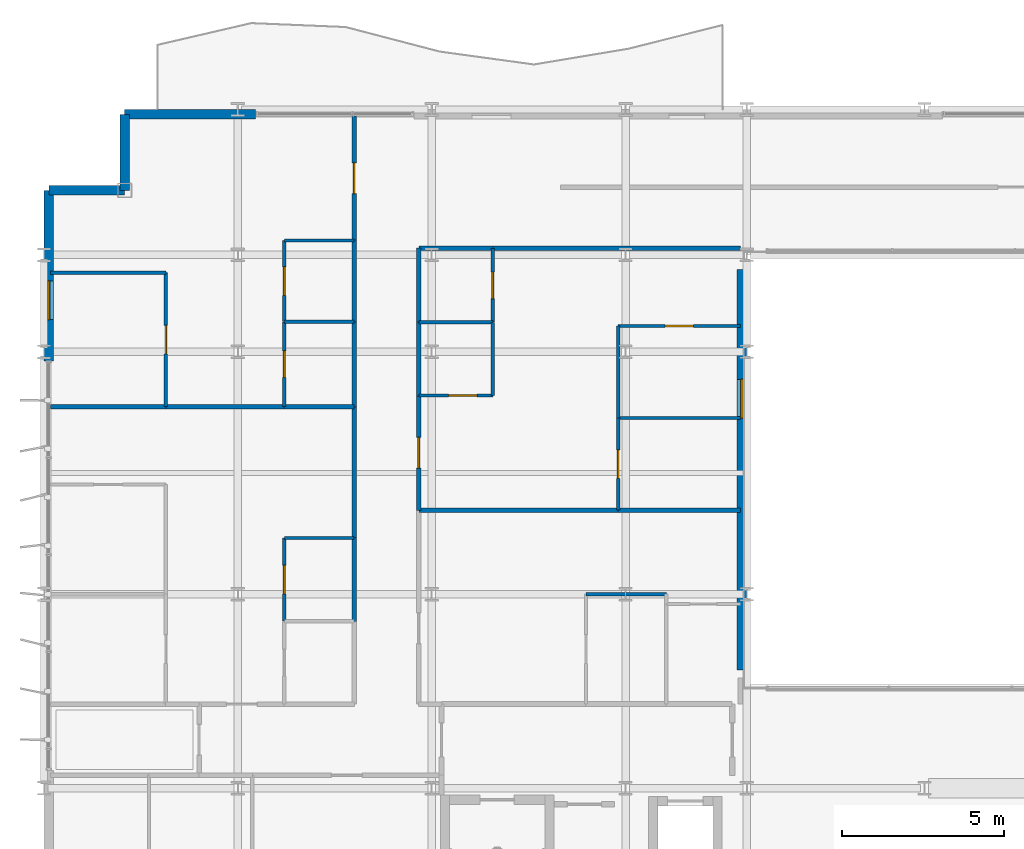
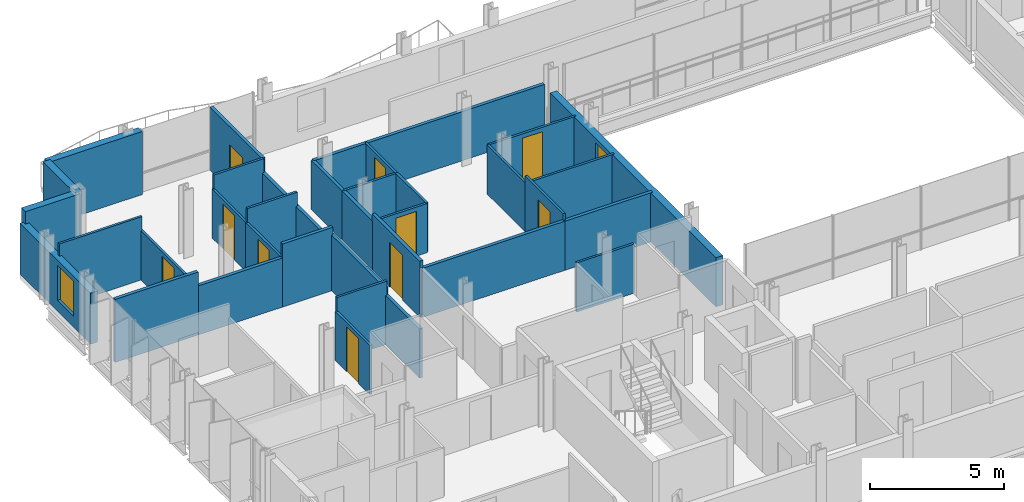
# One storey, part 29 of 38: 37 walls, 10 doors, 2 windows, 12 openings.
"""IFC4 building model written with IfcOpenShell, lengths in metres."""

import ifcopenshell
import ifcopenshell.guid

model = None  # the IFC model being written
_history = None  # IfcOwnerHistory: only IFC2X3 demands one
_inside = {}  # id of a spatial element -> (the spatial element, [elements in it])
_under = {}  # id of a project, library or spatial element -> (it, [spatial elements below it])
_declared = {}  # id of a project -> (the project, [libraries it declares])
_typed = {}  # id of a type object -> (the type object, [elements of that type])
_made_of = {}  # id of a material, layer set ... -> (it, [elements and type objects made of it])


def new_model(schema):
    """Start an empty IFC model of exactly this schema.

    Asked for "IFC4X3", IfcOpenShell would pick the latest addendum, in which some entities
    have other attributes; the version numbers below select the first issue.
    IFC2X3 requires an IfcOwnerHistory on every rooted entity: one is made here for all.
    """
    global model, _history
    if schema == "IFC4X3":
        model = ifcopenshell.file(schema_version=(4, 3, 0, 0))
    else:
        model = ifcopenshell.file(schema=schema)
    _inside.clear()
    _under.clear()
    _declared.clear()
    _typed.clear()
    _made_of.clear()
    _history = None
    if model.schema == "IFC2X3":
        org = make("IfcOrganization", Name="unknown")
        user = make(
            "IfcPersonAndOrganization",
            ThePerson=make("IfcPerson", FamilyName="unknown"),
            TheOrganization=org,
        )
        app = make(
            "IfcApplication",
            ApplicationDeveloper=org,
            Version="unknown",
            ApplicationFullName="unknown",
            ApplicationIdentifier="unknown",
        )
        _history = make(
            "IfcOwnerHistory",
            OwningUser=user,
            OwningApplication=app,
            ChangeAction="ADDED",
            CreationDate=0,
        )
    return model


def make(cls, **values):
    """One entity of the class cls with the attributes given. An attribute that is None is left unset."""
    return model.create_entity(
        cls, **{name: value for name, value in values.items() if value is not None}
    )


def rooted(cls, **values):
    """An entity with a GlobalId (a new one), such as an element, a storey or a relation."""
    return make(cls, GlobalId=ifcopenshell.guid.new(), OwnerHistory=_history, **values)


def si_unit(unit_type, name, prefix=None):
    """IfcSIUnit, for example si_unit("LENGTHUNIT", "METRE", prefix="MILLI")."""
    return make("IfcSIUnit", UnitType=unit_type, Prefix=prefix, Name=name)


def assignment(units):
    """IfcUnitAssignment: the units of a project."""
    return None if units is None else make("IfcUnitAssignment", Units=units)


def point(xyz):
    """IfcCartesianPoint."""
    return None if xyz is None else make("IfcCartesianPoint", Coordinates=xyz)


def direction(xyz):
    """IfcDirection."""
    return None if xyz is None else make("IfcDirection", DirectionRatios=xyz)


def frame(location, z_axis=None, x_axis=None):
    """IfcAxis2Placement3D, a coordinate frame: its origin and axes. An axis left out is left unset."""
    return make(
        "IfcAxis2Placement3D",
        Location=point(location),
        Axis=direction(z_axis),
        RefDirection=direction(x_axis),
    )


def frame_2d(location, x_axis=None):
    """IfcAxis2Placement2D, a coordinate frame in the plane: its origin and x axis."""
    return make(
        "IfcAxis2Placement2D", Location=point(location), RefDirection=direction(x_axis)
    )


def origin():
    """The frame at (0, 0, 0) with its axes left unset."""
    return frame((0.0, 0.0, 0.0))


def place(relative_to, where):
    """IfcLocalPlacement: puts the frame where relative to a parent placement (None: the world)."""
    return make(
        "IfcLocalPlacement", PlacementRelTo=relative_to, RelativePlacement=where
    )


def context(
    kind, dimensions, precision=None, world=None, true_north=None, identifier=None
):
    """IfcGeometricRepresentationContext, for example the 3D "Model" context."""
    return make(
        "IfcGeometricRepresentationContext",
        ContextIdentifier=identifier,
        ContextType=kind,
        CoordinateSpaceDimension=dimensions,
        Precision=precision,
        WorldCoordinateSystem=world,
        TrueNorth=true_north,
    )


def subcontext(parent, identifier, kind, view, scale=None):
    """IfcGeometricRepresentationSubContext, for example "Body" below "Model"."""
    return make(
        "IfcGeometricRepresentationSubContext",
        ContextIdentifier=identifier,
        ContextType=kind,
        ParentContext=parent,
        TargetScale=scale,
        TargetView=view,
    )


def project(units=None, contexts=None):
    """IfcProject with its units and contexts."""
    return rooted(
        "IfcProject",
        Name="project",
        RepresentationContexts=contexts,
        UnitsInContext=assignment(units),
    )


def spatial(cls, under=None, at=None, **own):
    """A site, building, storey or space (cls), placed at a placement, below another one or the project."""
    s = rooted(cls, ObjectPlacement=at, **own)
    if under is not None:
        _under.setdefault(under.id(), (under, []))[1].append(s)
    return s


def profile(cls, at=None, kind="AREA", **sizes):
    """A parametric profile (cls). Its sizes go by their IFC names, for example OverallWidth=200.0."""
    return make(cls, ProfileType=kind, Position=at, **sizes)


def rectangle(**sizes):
    """IfcRectangleProfileDef."""
    return profile("IfcRectangleProfileDef", **sizes)


def extrude(swept, where, along, depth):
    """IfcExtrudedAreaSolid: the profile swept, set in the frame where, extruded along a direction by depth."""
    return make(
        "IfcExtrudedAreaSolid",
        SweptArea=swept,
        Position=where,
        ExtrudedDirection=direction(along),
        Depth=depth,
    )


def shape(context_of_items, identifier, shape_type, items):
    """IfcShapeRepresentation: the items that make up one representation, for example the "Body"."""
    return make(
        "IfcShapeRepresentation",
        ContextOfItems=context_of_items,
        RepresentationIdentifier=identifier,
        RepresentationType=shape_type,
        Items=items,
    )


def material(Name=None, Category=None):
    """IfcMaterial."""
    return make("IfcMaterial", Name=Name, Category=Category)


def layer(
    of_material, thickness, ventilated=None, Name=None, Category=None, Priority=None
):
    """IfcMaterialLayer: one layer of a wall or slab, of a material (None: an air gap)."""
    return make(
        "IfcMaterialLayer",
        Material=of_material,
        LayerThickness=thickness,
        IsVentilated=ventilated,
        Name=Name,
        Category=Category,
        Priority=Priority,
    )


def layer_set(layers, Name=None):
    """IfcMaterialLayerSet."""
    return make("IfcMaterialLayerSet", MaterialLayers=layers, LayerSetName=Name)


def made_of(thing, what):
    """Note that an element or type object is made of a material, layer set ...; save() writes the relation."""
    if what is not None:
        _made_of.setdefault(what.id(), (what, []))[1].append(thing)
    return thing


def type_object(cls, material=None, **own):
    """A type object (cls), such as IfcWallType, which elements share."""
    return made_of(rooted(cls, **own), material)


def element(
    cls,
    number,
    at=None,
    inside=None,
    cuts=None,
    type_object=None,
    material=None,
    context=None,
    identifier="Body",
    shape_type=None,
    held_by="IfcProductDefinitionShape",
    body=None,
    shapes=None,
    **own,
):
    """One element of the class cls, such as IfcWall. Its Tag is "e" and its number.

    at: its placement. inside: the storey or other place that contains it. cuts: it is an
    opening in that element (IfcRelVoidsElement). A single representation is given by context,
    identifier, shape_type and body (its items); several are given by shapes. held_by: the class
    of the entity that holds the representations. save() writes the other relations.
    """
    e = rooted(cls, Tag="e%d" % number, ObjectPlacement=at, **own)
    if body is not None:
        shapes = [shape(context, identifier, shape_type, body)]
    if shapes is not None:
        e.Representation = make(held_by, Representations=shapes)
    if inside is not None:
        _inside.setdefault(inside.id(), (inside, []))[1].append(e)
    if cuts is not None:
        rooted(
            "IfcRelVoidsElement", RelatingBuildingElement=cuts, RelatedOpeningElement=e
        )
    if type_object is not None:
        _typed.setdefault(type_object.id(), (type_object, []))[1].append(e)
    return made_of(e, material)


def fill(opening, filler):
    """IfcRelFillsElement: the door or window that sits in an opening."""
    return rooted(
        "IfcRelFillsElement",
        RelatingOpeningElement=opening,
        RelatedBuildingElement=filler,
    )


def aggregate(whole, parts):
    """IfcRelAggregates: a whole, such as a stair, and the parts it consists of."""
    return rooted("IfcRelAggregates", RelatingObject=whole, RelatedObjects=parts)


def save(model, path):
    """Write the relations noted so far, then the file.

    IfcRelAggregates (storeys below a building ...), IfcRelContainedInSpatialStructure (elements
    in a storey), IfcRelDefinesByType, IfcRelAssociatesMaterial and IfcRelDeclares: one each for
    every whole, place, type object, material and project.
    """
    for whole, parts in _under.values():
        aggregate(whole, parts)
    for where, things in _inside.values():
        rooted(
            "IfcRelContainedInSpatialStructure",
            RelatedElements=things,
            RelatingStructure=where,
        )
    for kind, things in _typed.values():
        rooted("IfcRelDefinesByType", RelatedObjects=things, RelatingType=kind)
    for what, things in _made_of.values():
        rooted("IfcRelAssociatesMaterial", RelatedObjects=things, RelatingMaterial=what)
    for by, libraries in _declared.values():
        rooted("IfcRelDeclares", RelatingContext=by, RelatedDefinitions=libraries)
    model.write(path)


model = new_model("IFC4")

# Units and contexts
model_context = context("Model", 3, precision=1e-05, world=origin(), true_north=direction((0.0, 1.0)))
body_context = subcontext(model_context, "Body", "Model", "MODEL_VIEW")
ifc_project = project(units=[si_unit("LENGTHUNIT", "METRE"), si_unit("AREAUNIT", "SQUARE_METRE"), si_unit("VOLUMEUNIT", "CUBIC_METRE"), si_unit("PLANEANGLEUNIT", "RADIAN"), si_unit("MASSUNIT", "GRAM", prefix="KILO")], contexts=[model_context])

# Site, building, storey
site_placement = place(None, origin())
site = spatial("IfcSite", under=ifc_project, at=site_placement, CompositionType="ELEMENT")
building_placement = place(site_placement, origin())
building = spatial("IfcBuilding", under=site, at=building_placement, Name="Brevholm Reach", CompositionType="ELEMENT")
storey_placement = place(building_placement, frame((0.0, 0.0, 122.10009765625)))
storey = spatial("IfcBuildingStorey", under=building, at=storey_placement, Name="L36", CompositionType="ELEMENT", Elevation=122.10009765625)

# Walls
ifc_material_1 = material(Name="Concrete C40/50", Category="concrete")
ifc_layer_1 = layer(ifc_material_1, 0.300048828125)
ifc_layer_set_1 = layer_set([ifc_layer_1], Name="Concrete C40/50")
wall_type_1 = type_object("IfcWallType", Name="WAL-EXT-300", PredefinedType="STANDARD", material=ifc_layer_set_1)
for number, where, z_axis, x_axis, name in (
    (1, (2.5, 30.85009765625, 0.0), (0.0, 0.0, 1.0), (0.0, -1.0, 0.0), "L36 Facade Wall WAL-L36-CNW1"),
    (2, (2.5, 28.5, 0.0), (0.0, 0.0, 1.0), (-1.0, 0.0, 0.0), "L36 Facade Wall WAL-L36-CNW2"),
):
    element("IfcWall", number, at=place(storey_placement, frame(where, z_axis=z_axis, x_axis=x_axis)), inside=storey, type_object=wall_type_1, Name=name, PredefinedType="STANDARD", context=body_context, shape_type="SweptSolid", body=[
        extrude(rectangle(XDim=2.35009765625, YDim=0.300048828125, at=frame_2d((1.175048828125, 0.0))), origin(), (0.0, 0.0, 1.0), 2.8798828125),
    ])

# Wall, opening, window
wall_1_placement = place(storey_placement, frame((0.14990234375, 28.5, 0.0), z_axis=(0.0, 0.0, 1.0), x_axis=(0.0, -1.0, 0.0)))
wall_1 = element("IfcWall", 3, at=wall_1_placement, inside=storey, type_object=wall_type_1, Name="L36 Facade Wall WAL-L36-W-N", PredefinedType="STANDARD", context=body_context, shape_type="SweptSolid", body=[
    extrude(rectangle(XDim=5.280029296875, YDim=0.300048828125, at=frame_2d((2.64013671875, 0.0))), origin(), (0.0, 0.0, 1.0), 2.32177734375),
])
opening_1_placement = place(wall_1_placement, frame((2.800048828125, 0.0, 0.501953125)))
opening_1 = element("IfcOpeningElement", 4, at=opening_1_placement, cuts=wall_1, Name="Opening WN-08", PredefinedType="OPENING", context=body_context, shape_type="SweptSolid", body=[
    extrude(rectangle(XDim=1.199951171875, YDim=1.60009765625, at=frame_2d((0.60009765625, 0.800048828125))), frame((0.0, 0.159912109375, 0.0), z_axis=(0.0, -1.0, 0.0), x_axis=(1.0, 0.0, 0.0)), (0.0, 0.0, 1.0), 0.320068359375),
])
ifc_material_2 = material(Name="Dark Anodised Aluminium and Solar-Control IGU Glass", Category="aluminium")
window_type = type_object("IfcWindowType", Name="WIN-RES-1200", PartitioningType="SINGLE_PANEL", PredefinedType="WINDOW", material=ifc_material_2)
window_1_placement = place(opening_1_placement, origin())
window_1 = element("IfcWindow", 5, at=window_1_placement, inside=storey, type_object=window_type, Name="L36 Window WIN-L36-WN-1", OverallHeight=1.60009765625, OverallWidth=1.199951171875, PartitioningType="SINGLE_PANEL", PredefinedType="WINDOW", context=body_context, shape_type="SweptSolid", body=[
    extrude(rectangle(XDim=1.199951171875, YDim=1.60009765625, at=frame_2d((0.60009765625, 0.800048828125))), frame((0.0, 0.030029296875, 0.0), z_axis=(0.0, -1.0, 0.0), x_axis=(1.0, 0.0, 0.0)), (0.0, 0.0, 1.0), 0.06005859375),
])
fill(opening_1, window_1)

# Wall
wall_2_placement = place(storey_placement, frame((2.5, 30.85009765625, 0.0), z_axis=(0.0, 0.0, 1.0), x_axis=(1.0, 0.0, 0.0)))
element("IfcWall", 6, at=wall_2_placement, inside=storey, type_object=wall_type_1, Name="L36 Facade Wall WAL-L36-NP-W0", PredefinedType="STANDARD", context=body_context, shape_type="SweptSolid", body=[
    extrude(rectangle(XDim=4.050048828125, YDim=0.300048828125, at=frame_2d((2.02490234375, 0.0))), origin(), (0.0, 0.0, 1.0), 2.8798828125),
])

# Wall, opening, window
wall_3_placement = place(storey_placement, frame((21.60009765625, 26.050048828125, 0.0), z_axis=(0.0, 0.0, 1.0), x_axis=(0.0, -1.0, 0.0)))
wall_3 = element("IfcWall", 7, at=wall_3_placement, inside=storey, type_object=wall_type_1, Name="L36 Facade Wall WAL-L36-AT-W", PredefinedType="STANDARD", context=body_context, shape_type="SweptSolid", body=[
    extrude(rectangle(XDim=12.400146484375, YDim=0.300048828125, at=frame_2d((6.2001953125, 0.0))), origin(), (0.0, 0.0, 1.0), 2.24267578125),
])
opening_2_placement = place(wall_3_placement, frame((3.39990234375, 0.0, 0.423095703125)))
opening_2 = element("IfcOpeningElement", 8, at=opening_2_placement, cuts=wall_3, Name="Opening WN-08", PredefinedType="OPENING", context=body_context, shape_type="SweptSolid", body=[
    extrude(rectangle(XDim=1.199951171875, YDim=1.60009765625, at=frame_2d((0.60009765625, 0.800048828125))), frame((0.0, 0.159912109375, 0.0), z_axis=(0.0, -1.0, 0.0), x_axis=(1.0, 0.0, 0.0)), (0.0, 0.0, 1.0), 0.320068359375),
])
window_2_placement = place(opening_2_placement, origin())
window_2 = element("IfcWindow", 9, at=window_2_placement, inside=storey, type_object=window_type, Name="L36 Window WIN-L36-AT-W1", OverallHeight=1.60009765625, OverallWidth=1.199951171875, PartitioningType="SINGLE_PANEL", PredefinedType="WINDOW", context=body_context, shape_type="SweptSolid", body=[
    extrude(rectangle(XDim=1.199951171875, YDim=1.60009765625, at=frame_2d((0.60009765625, 0.800048828125))), frame((0.0, 0.030029296875, 0.0), z_axis=(0.0, -1.0, 0.0), x_axis=(1.0, 0.0, 0.0)), (0.0, 0.0, 1.0), 0.06005859375),
])
fill(opening_2, window_2)

# Wall
ifc_material_3 = material(Name="Moisture-Resistant Acoustic Gypsum Stud Partition 100 mm", Category="gypsum")
ifc_layer_2 = layer(ifc_material_3, 0.10009765625)
ifc_layer_set_2 = layer_set([ifc_layer_2], Name="Moisture-Resistant Acoustic Gypsum Stud Partition 100 mm")
wall_type_2 = type_object("IfcWallType", Name="WAL-PRT-100", PredefinedType="PARTITIONING", material=ifc_layer_set_2)
wall_4_placement = place(storey_placement, frame((7.43798828125, 17.739990234375, 0.0), z_axis=(0.0, 0.0, 1.0), x_axis=(1.0, 0.0, 0.0)))
element("IfcWall", 10, at=wall_4_placement, inside=storey, type_object=wall_type_2, Name="L36 Internal Partition 090", PredefinedType="PARTITIONING", context=body_context, shape_type="SweptSolid", body=[
    extrude(rectangle(XDim=2.157958984375, YDim=0.10009765625, at=frame_2d((1.0791015625, 0.0))), origin(), (0.0, 0.0, 1.0), 2.8798828125),
])

# Wall, opening, door
wall_5_placement = place(storey_placement, frame((7.43798828125, 15.16796875, 0.0), z_axis=(0.0, 0.0, 1.0), x_axis=(0.0, 1.0, 0.0)))
wall_5 = element("IfcWall", 11, at=wall_5_placement, inside=storey, type_object=wall_type_2, Name="L36 Internal Partition 091", PredefinedType="PARTITIONING", context=body_context, shape_type="SweptSolid", body=[
    extrude(rectangle(XDim=2.572021484375, YDim=0.10009765625, at=frame_2d((1.2861328125, 0.0))), origin(), (0.0, 0.0, 1.0), 2.24267578125),
])
opening_3_placement = place(wall_5_placement, frame((0.845947265625, 0.0, 0.0)))
opening_3 = element("IfcOpeningElement", 12, at=opening_3_placement, cuts=wall_5, Name="Opening ID-01", PredefinedType="OPENING", context=body_context, shape_type="SweptSolid", body=[
    extrude(rectangle(XDim=0.8798828125, YDim=2.0400390625, at=frame_2d((0.43994140625, 1.02001953125))), frame((0.0, 0.06005859375, 0.0), z_axis=(0.0, -1.0, 0.0), x_axis=(1.0, 0.0, 0.0)), (0.0, 0.0, 1.0), 0.1201171875),
])
ifc_material_4 = material(Name="Lacquered Ash Solid-Core Acoustic Internal Door", Category="timber")
door_type_1 = type_object("IfcDoorType", Name="DOR-INT-880", OperationType="NOTDEFINED", PredefinedType="DOOR", material=ifc_material_4)
door_1_placement = place(opening_3_placement, origin())
door_1 = element("IfcDoor", 13, at=door_1_placement, inside=storey, type_object=door_type_1, Name="L36 Internal Door 034", OperationType="SINGLE_SWING_RIGHT", OverallHeight=2.0400390625, OverallWidth=0.8798828125, PredefinedType="DOOR", context=body_context, shape_type="SweptSolid", body=[
    extrude(rectangle(XDim=0.8798828125, YDim=2.0400390625, at=frame_2d((0.43994140625, 1.02001953125))), frame((0.0, 0.02490234375, 0.0), z_axis=(0.0, -1.0, 0.0), x_axis=(1.0, 0.0, 0.0)), (0.0, 0.0, 1.0), 0.050048828125),
])
fill(opening_3, door_1)

# Wall
wall_6_placement = place(storey_placement, frame((7.43798828125, 24.429931640625, 0.0), z_axis=(0.0, 0.0, 1.0), x_axis=(1.0, 0.0, 0.0)))
element("IfcWall", 14, at=wall_6_placement, inside=storey, type_object=wall_type_2, Name="L36 Internal Partition 099", PredefinedType="PARTITIONING", context=body_context, shape_type="SweptSolid", body=[
    extrude(rectangle(XDim=2.157958984375, YDim=0.10009765625, at=frame_2d((1.0791015625, 0.0))), origin(), (0.0, 0.0, 1.0), 2.8798828125),
])

# Wall, opening, door
wall_7_placement = place(storey_placement, frame((7.43798828125, 21.803955078125, 0.0), z_axis=(0.0, 0.0, 1.0), x_axis=(0.0, 1.0, 0.0)))
wall_7 = element("IfcWall", 15, at=wall_7_placement, inside=storey, type_object=wall_type_2, Name="L36 Internal Partition 100", PredefinedType="PARTITIONING", context=body_context, shape_type="SweptSolid", body=[
    extrude(rectangle(XDim=2.6259765625, YDim=0.10009765625, at=frame_2d((1.31298828125, 0.0))), origin(), (0.0, 0.0, 1.0), 2.24267578125),
])
opening_4_placement = place(wall_7_placement, frame((0.903076171875, 0.0, 0.0)))
opening_4 = element("IfcOpeningElement", 16, at=opening_4_placement, cuts=wall_7, Name="Opening ID-03", PredefinedType="OPENING", context=body_context, shape_type="SweptSolid", body=[
    extrude(rectangle(XDim=0.820068359375, YDim=2.02001953125, at=frame_2d((0.41015625, 1.010009765625))), frame((0.0, 0.06005859375, 0.0), z_axis=(0.0, -1.0, 0.0), x_axis=(1.0, 0.0, 0.0)), (0.0, 0.0, 1.0), 0.1201171875),
])
ifc_material_5 = material(Name="Moisture-Resistant Painted Timber Internal Bathroom Door", Category="wood")
door_type_2 = type_object("IfcDoorType", Name="DOR-BATH-820", OperationType="NOTDEFINED", PredefinedType="DOOR", material=ifc_material_5)
door_2_placement = place(opening_4_placement, origin())
door_2 = element("IfcDoor", 17, at=door_2_placement, inside=storey, type_object=door_type_2, Name="L36 Internal Door 037", OperationType="SINGLE_SWING_LEFT", OverallHeight=2.02001953125, OverallWidth=0.820068359375, PredefinedType="DOOR", context=body_context, shape_type="SweptSolid", body=[
    extrude(rectangle(XDim=0.820068359375, YDim=2.02001953125, at=frame_2d((0.41015625, 1.010009765625))), frame((0.0, 0.02490234375, 0.0), z_axis=(0.0, -1.0, 0.0), x_axis=(1.0, 0.0, 0.0)), (0.0, 0.0, 1.0), 0.050048828125),
])
fill(opening_4, door_2)

# Wall
wall_8_placement = place(storey_placement, frame((7.43798828125, 26.949951171875, 0.0), z_axis=(0.0, 0.0, 1.0), x_axis=(1.0, 0.0, 0.0)))
element("IfcWall", 18, at=wall_8_placement, inside=storey, type_object=wall_type_2, Name="L36 Internal Partition 101", PredefinedType="PARTITIONING", context=body_context, shape_type="SweptSolid", body=[
    extrude(rectangle(XDim=2.157958984375, YDim=0.10009765625, at=frame_2d((1.0791015625, 0.0))), origin(), (0.0, 0.0, 1.0), 2.8798828125),
])

# Wall, opening, door
wall_9_placement = place(storey_placement, frame((7.43798828125, 24.43408203125, 0.0), z_axis=(0.0, 0.0, 1.0), x_axis=(0.0, 1.0, 0.0)))
wall_9 = element("IfcWall", 19, at=wall_9_placement, inside=storey, type_object=wall_type_2, Name="L36 Internal Partition 102", PredefinedType="PARTITIONING", context=body_context, shape_type="SweptSolid", body=[
    extrude(rectangle(XDim=2.515869140625, YDim=0.10009765625, at=frame_2d((1.2578125, 0.0))), origin(), (0.0, 0.0, 1.0), 2.24267578125),
])
opening_5_placement = place(wall_9_placement, frame((0.818115234375, 0.0, 0.0)))
opening_5 = element("IfcOpeningElement", 20, at=opening_5_placement, cuts=wall_9, Name="Opening ID-01", PredefinedType="OPENING", context=body_context, shape_type="SweptSolid", body=[
    extrude(rectangle(XDim=0.8798828125, YDim=2.0400390625, at=frame_2d((0.43994140625, 1.02001953125))), frame((0.0, 0.06005859375, 0.0), z_axis=(0.0, -1.0, 0.0), x_axis=(1.0, 0.0, 0.0)), (0.0, 0.0, 1.0), 0.1201171875),
])
door_3_placement = place(opening_5_placement, origin())
door_3 = element("IfcDoor", 21, at=door_3_placement, inside=storey, type_object=door_type_1, Name="L36 Internal Door 038", OperationType="SINGLE_SWING_RIGHT", OverallHeight=2.0400390625, OverallWidth=0.8798828125, PredefinedType="DOOR", context=body_context, shape_type="SweptSolid", body=[
    extrude(rectangle(XDim=0.8798828125, YDim=2.0400390625, at=frame_2d((0.43994140625, 1.02001953125))), frame((0.0, 0.02490234375, 0.0), z_axis=(0.0, -1.0, 0.0), x_axis=(1.0, 0.0, 0.0)), (0.0, 0.0, 1.0), 0.050048828125),
])
fill(opening_5, door_3)

wall_10_placement = place(storey_placement, frame((3.77197265625, 21.803955078125, 0.0), z_axis=(0.0, 0.0, 1.0), x_axis=(0.0, 1.0, 0.0)))
wall_10 = element("IfcWall", 22, at=wall_10_placement, inside=storey, type_object=wall_type_2, Name="L36 Internal Partition 103", PredefinedType="PARTITIONING", context=body_context, shape_type="SweptSolid", body=[
    extrude(rectangle(XDim=4.14599609375, YDim=0.10009765625, at=frame_2d((2.072998046875, 0.0))), origin(), (0.0, 0.0, 1.0), 2.24267578125),
])
opening_6_placement = place(wall_10_placement, frame((1.633056640625, 0.0, 0.0)))
opening_6 = element("IfcOpeningElement", 23, at=opening_6_placement, cuts=wall_10, Name="Opening ID-01", PredefinedType="OPENING", context=body_context, shape_type="SweptSolid", body=[
    extrude(rectangle(XDim=0.8798828125, YDim=2.0400390625, at=frame_2d((0.43994140625, 1.02001953125))), frame((0.0, 0.06005859375, 0.0), z_axis=(0.0, -1.0, 0.0), x_axis=(1.0, 0.0, 0.0)), (0.0, 0.0, 1.0), 0.1201171875),
])
door_4_placement = place(opening_6_placement, origin())
door_4 = element("IfcDoor", 24, at=door_4_placement, inside=storey, type_object=door_type_1, Name="L36 Internal Door 039", OperationType="SINGLE_SWING_LEFT", OverallHeight=2.0400390625, OverallWidth=0.8798828125, PredefinedType="DOOR", context=body_context, shape_type="SweptSolid", body=[
    extrude(rectangle(XDim=0.8798828125, YDim=2.0400390625, at=frame_2d((0.43994140625, 1.02001953125))), frame((0.0, 0.02490234375, 0.0), z_axis=(0.0, -1.0, 0.0), x_axis=(1.0, 0.0, 0.0)), (0.0, 0.0, 1.0), 0.050048828125),
])
fill(opening_6, door_4)

# Walls
wall_11_placement = place(storey_placement, frame((0.199951171875, 25.949951171875, 0.0), z_axis=(0.0, 0.0, 1.0), x_axis=(1.0, 0.0, 0.0)))
element("IfcWall", 25, at=wall_11_placement, inside=storey, type_object=wall_type_2, Name="L36 Internal Partition 104", PredefinedType="PARTITIONING", context=body_context, shape_type="SweptSolid", body=[
    extrude(rectangle(XDim=3.572021484375, YDim=0.10009765625, at=frame_2d((1.7861328125, 0.0))), origin(), (0.0, 0.0, 1.0), 2.8798828125),
])
wall_12_placement = place(storey_placement, frame((16.77294921875, 16.0, 0.0), z_axis=(0.0, 0.0, 1.0), x_axis=(1.0, 0.0, 0.0)))
element("IfcWall", 26, at=wall_12_placement, inside=storey, type_object=wall_type_2, Name="L36 Internal Partition 108", PredefinedType="PARTITIONING", context=body_context, shape_type="SweptSolid", body=[
    extrude(rectangle(XDim=2.488037109375, YDim=0.10009765625, at=frame_2d((1.244140625, 0.0))), origin(), (0.0, 0.0, 1.0), 2.24267578125),
])
wall_13_placement = place(storey_placement, frame((11.60400390625, 24.419921875, 0.0), z_axis=(0.0, 0.0, 1.0), x_axis=(1.0, 0.0, 0.0)))
element("IfcWall", 27, at=wall_13_placement, inside=storey, type_object=wall_type_2, Name="L36 Internal Partition 112", PredefinedType="PARTITIONING", context=body_context, shape_type="SweptSolid", body=[
    extrude(rectangle(XDim=2.284912109375, YDim=0.10009765625, at=frame_2d((1.142578125, 0.0))), origin(), (0.0, 0.0, 1.0), 2.24267578125),
])

# Wall, opening, door
wall_14_placement = place(storey_placement, frame((13.888916015625, 24.419921875, 0.0), z_axis=(0.0, 0.0, 1.0), x_axis=(0.0, 1.0, 0.0)))
wall_14 = element("IfcWall", 28, at=wall_14_placement, inside=storey, type_object=wall_type_2, Name="L36 Internal Partition 113", PredefinedType="PARTITIONING", context=body_context, shape_type="SweptSolid", body=[
    extrude(rectangle(XDim=2.276123046875, YDim=0.10009765625, at=frame_2d((1.13818359375, 0.0))), origin(), (0.0, 0.0, 1.0), 2.24267578125),
])
opening_7_placement = place(wall_14_placement, frame((0.72802734375, 0.0, 0.0)))
opening_7 = element("IfcOpeningElement", 29, at=opening_7_placement, cuts=wall_14, Name="Opening ID-03", PredefinedType="OPENING", context=body_context, shape_type="SweptSolid", body=[
    extrude(rectangle(XDim=0.820068359375, YDim=2.02001953125, at=frame_2d((0.41015625, 1.010009765625))), frame((0.0, 0.06005859375, 0.0), z_axis=(0.0, -1.0, 0.0), x_axis=(1.0, 0.0, 0.0)), (0.0, 0.0, 1.0), 0.1201171875),
])
door_5_placement = place(opening_7_placement, origin())
door_5 = element("IfcDoor", 30, at=door_5_placement, inside=storey, type_object=door_type_2, Name="L36 Internal Door 042", OperationType="SINGLE_SWING_RIGHT", OverallHeight=2.02001953125, OverallWidth=0.820068359375, PredefinedType="DOOR", context=body_context, shape_type="SweptSolid", body=[
    extrude(rectangle(XDim=0.820068359375, YDim=2.02001953125, at=frame_2d((0.41015625, 1.010009765625))), frame((0.0, 0.02490234375, 0.0), z_axis=(0.0, -1.0, 0.0), x_axis=(1.0, 0.0, 0.0)), (0.0, 0.0, 1.0), 0.050048828125),
])
fill(opening_7, door_5)

wall_15_placement = place(storey_placement, frame((11.60400390625, 22.152099609375, 0.0), z_axis=(0.0, 0.0, 1.0), x_axis=(1.0, 0.0, 0.0)))
wall_15 = element("IfcWall", 31, at=wall_15_placement, inside=storey, type_object=wall_type_2, Name="L36 Internal Partition 114", PredefinedType="PARTITIONING", context=body_context, shape_type="SweptSolid", body=[
    extrude(rectangle(XDim=2.284912109375, YDim=0.10009765625, at=frame_2d((1.142578125, 0.0))), origin(), (0.0, 0.0, 1.0), 2.24267578125),
])
opening_8_placement = place(wall_15_placement, frame((0.922607421875, 0.0, 0.0)))
opening_8 = element("IfcOpeningElement", 32, at=opening_8_placement, cuts=wall_15, Name="Opening ID-01", PredefinedType="OPENING", context=body_context, shape_type="SweptSolid", body=[
    extrude(rectangle(XDim=0.8798828125, YDim=2.0400390625, at=frame_2d((0.43994140625, 1.02001953125))), frame((0.0, 0.06005859375, 0.0), z_axis=(0.0, -1.0, 0.0), x_axis=(1.0, 0.0, 0.0)), (0.0, 0.0, 1.0), 0.1201171875),
])
door_6_placement = place(opening_8_placement, origin())
door_6 = element("IfcDoor", 33, at=door_6_placement, inside=storey, type_object=door_type_1, Name="L36 Internal Door 043", OperationType="SINGLE_SWING_LEFT", OverallHeight=2.0400390625, OverallWidth=0.8798828125, PredefinedType="DOOR", context=body_context, shape_type="SweptSolid", body=[
    extrude(rectangle(XDim=0.8798828125, YDim=2.0400390625, at=frame_2d((0.43994140625, 1.02001953125))), frame((0.0, 0.02490234375, 0.0), z_axis=(0.0, -1.0, 0.0), x_axis=(1.0, 0.0, 0.0)), (0.0, 0.0, 1.0), 0.050048828125),
])
fill(opening_8, door_6)

# Walls
wall_16_placement = place(storey_placement, frame((13.888916015625, 22.152099609375, 0.0), z_axis=(0.0, 0.0, 1.0), x_axis=(0.0, 1.0, 0.0)))
element("IfcWall", 34, at=wall_16_placement, inside=storey, type_object=wall_type_2, Name="L36 Internal Partition 115", PredefinedType="PARTITIONING", context=body_context, shape_type="SweptSolid", body=[
    extrude(rectangle(XDim=2.263916015625, YDim=0.10009765625, at=frame_2d((1.1318359375, 0.0))), origin(), (0.0, 0.0, 1.0), 2.24267578125),
])
wall_17_placement = place(storey_placement, frame((17.76904296875, 21.449951171875, 0.0), z_axis=(0.0, 0.0, 1.0), x_axis=(1.0, 0.0, 0.0)))
element("IfcWall", 35, at=wall_17_placement, inside=storey, type_object=wall_type_2, Name="L36 Internal Partition 116", PredefinedType="PARTITIONING", context=body_context, shape_type="SweptSolid", body=[
    extrude(rectangle(XDim=3.781005859375, YDim=0.10009765625, at=frame_2d((1.890625, 0.0))), origin(), (0.0, 0.0, 1.0), 2.24267578125),
])

# Wall, opening, door
wall_18_placement = place(storey_placement, frame((17.76904296875, 18.60400390625, 0.0), z_axis=(0.0, 0.0, 1.0), x_axis=(0.0, 1.0, 0.0)))
wall_18 = element("IfcWall", 36, at=wall_18_placement, inside=storey, type_object=wall_type_2, Name="L36 Internal Partition 117", PredefinedType="PARTITIONING", context=body_context, shape_type="SweptSolid", body=[
    extrude(rectangle(XDim=2.845947265625, YDim=0.10009765625, at=frame_2d((1.4228515625, 0.0))), origin(), (0.0, 0.0, 1.0), 2.551513671875),
])
opening_9_placement = place(wall_18_placement, frame((0.98291015625, 0.0, 0.0)))
opening_9 = element("IfcOpeningElement", 37, at=opening_9_placement, cuts=wall_18, Name="Opening ID-01", PredefinedType="OPENING", context=body_context, shape_type="SweptSolid", body=[
    extrude(rectangle(XDim=0.8798828125, YDim=2.0400390625, at=frame_2d((0.43994140625, 1.02001953125))), frame((0.0, 0.06005859375, 0.0), z_axis=(0.0, -1.0, 0.0), x_axis=(1.0, 0.0, 0.0)), (0.0, 0.0, 1.0), 0.1201171875),
])
door_7_placement = place(opening_9_placement, origin())
door_7 = element("IfcDoor", 38, at=door_7_placement, inside=storey, type_object=door_type_1, Name="L36 Internal Door 044", OperationType="SINGLE_SWING_RIGHT", OverallHeight=2.0400390625, OverallWidth=0.8798828125, PredefinedType="DOOR", context=body_context, shape_type="SweptSolid", body=[
    extrude(rectangle(XDim=0.8798828125, YDim=2.0400390625, at=frame_2d((0.43994140625, 1.02001953125))), frame((0.0, 0.02490234375, 0.0), z_axis=(0.0, -1.0, 0.0), x_axis=(1.0, 0.0, 0.0)), (0.0, 0.0, 1.0), 0.050048828125),
])
fill(opening_9, door_7)

wall_19_placement = place(storey_placement, frame((17.76904296875, 24.300048828125, 0.0), z_axis=(0.0, 0.0, 1.0), x_axis=(1.0, 0.0, 0.0)))
wall_19 = element("IfcWall", 39, at=wall_19_placement, inside=storey, type_object=wall_type_2, Name="L36 Internal Partition 118", PredefinedType="PARTITIONING", context=body_context, shape_type="SweptSolid", body=[
    extrude(rectangle(XDim=3.781005859375, YDim=0.10009765625, at=frame_2d((1.890625, 0.0))), origin(), (0.0, 0.0, 1.0), 2.24267578125),
])
opening_10_placement = place(wall_19_placement, frame((1.450439453125, 0.0, 0.0)))
opening_10 = element("IfcOpeningElement", 40, at=opening_10_placement, cuts=wall_19, Name="Opening ID-01", PredefinedType="OPENING", context=body_context, shape_type="SweptSolid", body=[
    extrude(rectangle(XDim=0.8798828125, YDim=2.0400390625, at=frame_2d((0.43994140625, 1.02001953125))), frame((0.0, 0.06005859375, 0.0), z_axis=(0.0, -1.0, 0.0), x_axis=(1.0, 0.0, 0.0)), (0.0, 0.0, 1.0), 0.1201171875),
])
door_8_placement = place(opening_10_placement, origin())
door_8 = element("IfcDoor", 41, at=door_8_placement, inside=storey, type_object=door_type_1, Name="L36 Internal Door 045", OperationType="SINGLE_SWING_LEFT", OverallHeight=2.0400390625, OverallWidth=0.8798828125, PredefinedType="DOOR", context=body_context, shape_type="SweptSolid", body=[
    extrude(rectangle(XDim=0.8798828125, YDim=2.0400390625, at=frame_2d((0.43994140625, 1.02001953125))), frame((0.0, 0.02490234375, 0.0), z_axis=(0.0, -1.0, 0.0), x_axis=(1.0, 0.0, 0.0)), (0.0, 0.0, 1.0), 0.050048828125),
])
fill(opening_10, door_8)

# Walls
wall_20_placement = place(storey_placement, frame((17.76904296875, 21.4541015625, 0.0), z_axis=(0.0, 0.0, 1.0), x_axis=(0.0, 1.0, 0.0)))
element("IfcWall", 42, at=wall_20_placement, inside=storey, type_object=wall_type_2, Name="L36 Internal Partition 119", PredefinedType="PARTITIONING", context=body_context, shape_type="SweptSolid", body=[
    extrude(rectangle(XDim=2.845947265625, YDim=0.10009765625, at=frame_2d((1.4228515625, 0.0))), origin(), (0.0, 0.0, 1.0), 2.24267578125),
])
ifc_material_6 = material(Name="Twin-Stud Acoustic Fire-Rated Gypsum Partition 140 mm", Category="gypsum")
ifc_layer_3 = layer(ifc_material_6, 0.139892578125)
ifc_layer_set_3 = layer_set([ifc_layer_3], Name="Twin-Stud Acoustic Fire-Rated Gypsum Partition 140 mm")
wall_type_3 = type_object("IfcWallType", Name="WAL-PRT-140", PredefinedType="PARTITIONING", material=ifc_layer_set_3)
wall_21_placement = place(storey_placement, frame((9.60009765625, 15.15673828125, 0.0), z_axis=(0.0, 0.0, 1.0), x_axis=(0.0, 1.0, 0.0)))
element("IfcWall", 43, at=wall_21_placement, inside=storey, type_object=wall_type_3, Name="L36 Internal Partition 037", PredefinedType="PARTITIONING", context=body_context, shape_type="SweptSolid", body=[
    extrude(rectangle(XDim=2.594482421875, YDim=0.139892578125, at=frame_2d((1.29736328125, 0.0))), origin(), (0.0, 0.0, 1.0), 2.24267578125),
])
wall_22_placement = place(storey_placement, frame((9.60009765625, 17.732666015625, 0.0), z_axis=(0.0, 0.0, 1.0), x_axis=(0.0, 1.0, 0.0)))
element("IfcWall", 44, at=wall_22_placement, inside=storey, type_object=wall_type_3, Name="L36 Internal Partition 038", PredefinedType="PARTITIONING", context=body_context, shape_type="SweptSolid", body=[
    extrude(rectangle(XDim=4.07861328125, YDim=0.139892578125, at=frame_2d((2.039306640625, 0.0))), origin(), (0.0, 0.0, 1.0), 2.551513671875),
])
wall_23_placement = place(storey_placement, frame((9.60009765625, 21.792724609375, 0.0), z_axis=(0.0, 0.0, 1.0), x_axis=(0.0, 1.0, 0.0)))
element("IfcWall", 45, at=wall_23_placement, inside=storey, type_object=wall_type_3, Name="L36 Internal Partition 039", PredefinedType="PARTITIONING", context=body_context, shape_type="SweptSolid", body=[
    extrude(rectangle(XDim=2.648681640625, YDim=0.139892578125, at=frame_2d((1.32421875, 0.0))), origin(), (0.0, 0.0, 1.0), 2.24267578125),
])
wall_24_placement = place(storey_placement, frame((9.60009765625, 24.422607421875, 0.0), z_axis=(0.0, 0.0, 1.0), x_axis=(0.0, 1.0, 0.0)))
element("IfcWall", 46, at=wall_24_placement, inside=storey, type_object=wall_type_3, Name="L36 Internal Partition 040", PredefinedType="PARTITIONING", context=body_context, shape_type="SweptSolid", body=[
    extrude(rectangle(XDim=2.53857421875, YDim=0.139892578125, at=frame_2d((1.269287109375, 0.0))), origin(), (0.0, 0.0, 1.0), 2.24267578125),
])

# Wall, opening, door
wall_25_placement = place(storey_placement, frame((9.60009765625, 26.942626953125, 0.0), z_axis=(0.0, 0.0, 1.0), x_axis=(0.0, 1.0, 0.0)))
wall_25 = element("IfcWall", 47, at=wall_25_placement, inside=storey, type_object=wall_type_3, Name="L36 Internal Partition 041", PredefinedType="PARTITIONING", context=body_context, shape_type="SweptSolid", body=[
    extrude(rectangle(XDim=3.857421875, YDim=0.139892578125, at=frame_2d((1.9287109375, 0.0))), origin(), (0.0, 0.0, 1.0), 2.8798828125),
])
opening_11_placement = place(wall_25_placement, frame((1.45361328125, 0.0, 0.0)))
opening_11 = element("IfcOpeningElement", 48, at=opening_11_placement, cuts=wall_25, Name="Opening ID-30", PredefinedType="OPENING", context=body_context, shape_type="SweptSolid", body=[
    extrude(rectangle(XDim=0.949951171875, YDim=2.050048828125, at=frame_2d((0.47509765625, 1.02490234375))), frame((0.0, 0.079833984375, 0.0), z_axis=(0.0, -1.0, 0.0), x_axis=(1.0, 0.0, 0.0)), (0.0, 0.0, 1.0), 0.159912109375),
])
ifc_material_7 = material(Name="European Oak Veneered Solid-Core Fire Entrance Door", Category="timber")
door_type_3 = type_object("IfcDoorType", Name="DOR-FLT-FD30S", OperationType="NOTDEFINED", PredefinedType="DOOR", material=ifc_material_7)
door_9_placement = place(opening_11_placement, origin())
door_9 = element("IfcDoor", 49, at=door_9_placement, inside=storey, type_object=door_type_3, Name="L36 Internal Door 018", OperationType="SINGLE_SWING_RIGHT", OverallHeight=2.050048828125, OverallWidth=0.949951171875, PredefinedType="DOOR", context=body_context, shape_type="SweptSolid", body=[
    extrude(rectangle(XDim=0.949951171875, YDim=2.050048828125, at=frame_2d((0.47509765625, 1.02490234375))), frame((0.0, 0.02490234375, 0.0), z_axis=(0.0, -1.0, 0.0), x_axis=(1.0, 0.0, 0.0)), (0.0, 0.0, 1.0), 0.050048828125),
])
fill(opening_11, door_9)

# Walls
wall_26_placement = place(storey_placement, frame((11.60009765625, 24.40869140625, 0.0), z_axis=(0.0, 0.0, 1.0), x_axis=(0.0, 1.0, 0.0)))
element("IfcWall", 50, at=wall_26_placement, inside=storey, type_object=wall_type_3, Name="L36 Internal Partition 043", PredefinedType="PARTITIONING", context=body_context, shape_type="SweptSolid", body=[
    extrude(rectangle(XDim=2.298583984375, YDim=0.139892578125, at=frame_2d((1.1494140625, 0.0))), origin(), (0.0, 0.0, 1.0), 2.24267578125),
])
wall_27_placement = place(storey_placement, frame((11.60009765625, 22.140625, 0.0), z_axis=(0.0, 0.0, 1.0), x_axis=(0.0, 1.0, 0.0)))
element("IfcWall", 51, at=wall_27_placement, inside=storey, type_object=wall_type_3, Name="L36 Internal Partition 044", PredefinedType="PARTITIONING", context=body_context, shape_type="SweptSolid", body=[
    extrude(rectangle(XDim=2.28662109375, YDim=0.139892578125, at=frame_2d((1.143310546875, 0.0))), origin(), (0.0, 0.0, 1.0), 2.24267578125),
])

# Wall, opening, door
wall_28_placement = place(storey_placement, frame((11.60009765625, 18.5927734375, 0.0), z_axis=(0.0, 0.0, 1.0), x_axis=(0.0, 1.0, 0.0)))
wall_28 = element("IfcWall", 52, at=wall_28_placement, inside=storey, type_object=wall_type_3, Name="L36 Internal Partition 045", PredefinedType="PARTITIONING", context=body_context, shape_type="SweptSolid", body=[
    extrude(rectangle(XDim=3.56640625, YDim=0.139892578125, at=frame_2d((1.783203125, 0.0))), origin(), (0.0, 0.0, 1.0), 2.551513671875),
])
opening_12_placement = place(wall_28_placement, frame((1.308349609375, 0.0, 0.0)))
opening_12 = element("IfcOpeningElement", 53, at=opening_12_placement, cuts=wall_28, Name="Opening ID-30", PredefinedType="OPENING", context=body_context, shape_type="SweptSolid", body=[
    extrude(rectangle(XDim=0.949951171875, YDim=2.050048828125, at=frame_2d((0.47509765625, 1.02490234375))), frame((0.0, 0.079833984375, 0.0), z_axis=(0.0, -1.0, 0.0), x_axis=(1.0, 0.0, 0.0)), (0.0, 0.0, 1.0), 0.159912109375),
])
door_10_placement = place(opening_12_placement, origin())
door_10 = element("IfcDoor", 54, at=door_10_placement, inside=storey, type_object=door_type_3, Name="L36 Internal Door 020", OperationType="SINGLE_SWING_RIGHT", OverallHeight=2.050048828125, OverallWidth=0.949951171875, PredefinedType="DOOR", context=body_context, shape_type="SweptSolid", body=[
    extrude(rectangle(XDim=0.949951171875, YDim=2.050048828125, at=frame_2d((0.47509765625, 1.02490234375))), frame((0.0, 0.02490234375, 0.0), z_axis=(0.0, -1.0, 0.0), x_axis=(1.0, 0.0, 0.0)), (0.0, 0.0, 1.0), 0.050048828125),
])
fill(opening_12, door_10)

# Walls
wall_29_placement = place(storey_placement, frame((11.60400390625, 26.699951171875, 0.0), z_axis=(0.0, 0.0, 1.0), x_axis=(1.0, 0.0, 0.0)))
element("IfcWall", 55, at=wall_29_placement, inside=storey, type_object=wall_type_3, Name="L36 Internal Partition 061", PredefinedType="PARTITIONING", context=body_context, shape_type="SweptSolid", body=[
    extrude(rectangle(XDim=2.29638671875, YDim=0.139892578125, at=frame_2d((1.148193359375, 0.0))), origin(), (0.0, 0.0, 1.0), 2.24267578125),
])
wall_30_placement = place(storey_placement, frame((13.881591796875, 26.699951171875, 0.0), z_axis=(0.0, 0.0, 1.0), x_axis=(1.0, 0.0, 0.0)))
element("IfcWall", 56, at=wall_30_placement, inside=storey, type_object=wall_type_3, Name="L36 Internal Partition 062", PredefinedType="PARTITIONING", context=body_context, shape_type="SweptSolid", body=[
    extrude(rectangle(XDim=7.6796875, YDim=0.139892578125, at=frame_2d((3.83984375, 0.0))), origin(), (0.0, 0.0, 1.0), 2.24267578125),
])
wall_31_placement = place(storey_placement, frame((7.4267578125, 21.800048828125, 0.0), z_axis=(0.0, 0.0, 1.0), x_axis=(1.0, 0.0, 0.0)))
element("IfcWall", 57, at=wall_31_placement, inside=storey, type_object=wall_type_3, Name="L36 Internal Partition 096", PredefinedType="PARTITIONING", context=body_context, shape_type="SweptSolid", body=[
    extrude(rectangle(XDim=2.169189453125, YDim=0.139892578125, at=frame_2d((1.08447265625, 0.0))), origin(), (0.0, 0.0, 1.0), 2.8798828125),
])
wall_32_placement = place(storey_placement, frame((0.199951171875, 21.800048828125, 0.0), z_axis=(0.0, 0.0, 1.0), x_axis=(1.0, 0.0, 0.0)))
element("IfcWall", 58, at=wall_32_placement, inside=storey, type_object=wall_type_3, Name="L36 Internal Partition 097", PredefinedType="PARTITIONING", context=body_context, shape_type="SweptSolid", body=[
    extrude(rectangle(XDim=3.583251953125, YDim=0.139892578125, at=frame_2d((1.79150390625, 0.0))), origin(), (0.0, 0.0, 1.0), 2.8798828125),
])
wall_33_placement = place(storey_placement, frame((3.7646484375, 21.800048828125, 0.0), z_axis=(0.0, 0.0, 1.0), x_axis=(1.0, 0.0, 0.0)))
element("IfcWall", 59, at=wall_33_placement, inside=storey, type_object=wall_type_3, Name="L36 Internal Partition 098", PredefinedType="PARTITIONING", context=body_context, shape_type="SweptSolid", body=[
    extrude(rectangle(XDim=3.6806640625, YDim=0.139892578125, at=frame_2d((1.84033203125, 0.0))), origin(), (0.0, 0.0, 1.0), 2.24267578125),
])
wall_34_placement = place(storey_placement, frame((17.7578125, 18.60009765625, 0.0), z_axis=(0.0, 0.0, 1.0), x_axis=(1.0, 0.0, 0.0)))
element("IfcWall", 60, at=wall_34_placement, inside=storey, type_object=wall_type_3, Name="L36 Internal Partition 110", PredefinedType="PARTITIONING", context=body_context, shape_type="SweptSolid", body=[
    extrude(rectangle(XDim=3.792236328125, YDim=0.139892578125, at=frame_2d((1.89599609375, 0.0))), origin(), (0.0, 0.0, 1.0), 2.24267578125),
])
wall_35_placement = place(storey_placement, frame((11.60400390625, 18.60009765625, 0.0), z_axis=(0.0, 0.0, 1.0), x_axis=(1.0, 0.0, 0.0)))
element("IfcWall", 61, at=wall_35_placement, inside=storey, type_object=wall_type_3, Name="L36 Internal Partition 111", PredefinedType="PARTITIONING", context=body_context, shape_type="SweptSolid", body=[
    extrude(rectangle(XDim=6.17236328125, YDim=0.139892578125, at=frame_2d((3.086181640625, 0.0))), origin(), (0.0, 0.0, 1.0), 2.24267578125),
])

save(model, "model.ifc")
